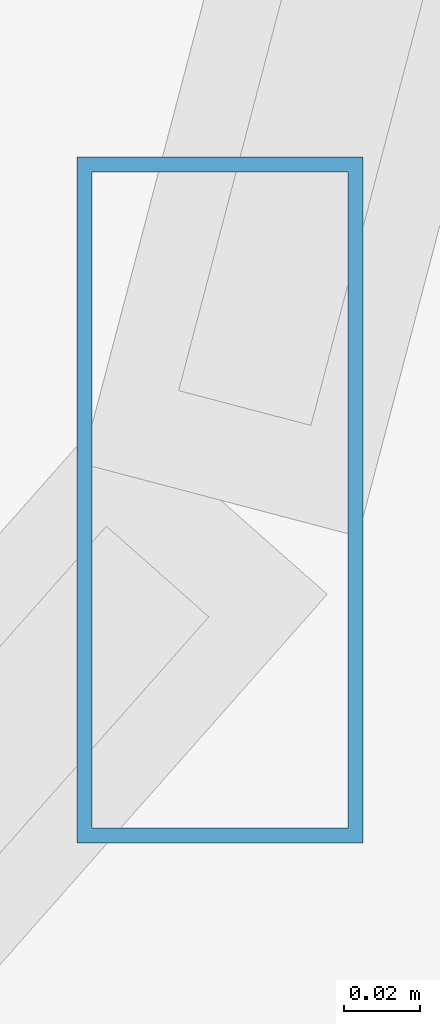
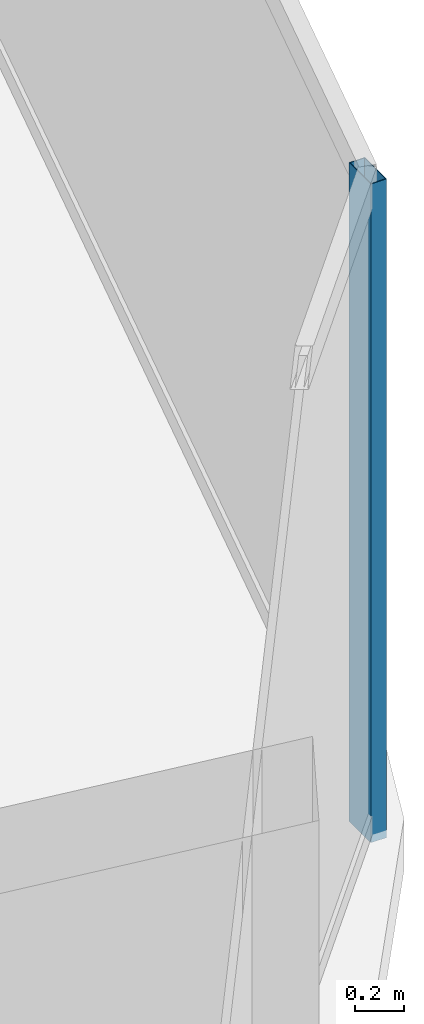
# One storey, part 14 of 30: 1 member, 1 element without a shape of its own.
"""IFC4 building model written with IfcOpenShell, lengths in metres."""

from ifc_helpers import new_model, si_unit, direction, frame, origin, origin_2d, place, context, subcontext, project, spatial, hollow_rectangle, extrude, material, material_profile, profile_set, type_object, element, aggregate, save


model = new_model("IFC4")

# Units and contexts
model_context = context("Model", 3, precision=1e-05, world=origin(), true_north=direction((0.0, 1.0)))
body_context = subcontext(model_context, "Body", "Model", "MODEL_VIEW")
ifc_project = project(units=[si_unit("LENGTHUNIT", "METRE"), si_unit("AREAUNIT", "SQUARE_METRE"), si_unit("VOLUMEUNIT", "CUBIC_METRE"), si_unit("PLANEANGLEUNIT", "RADIAN"), si_unit("MASSUNIT", "GRAM", prefix="KILO")], contexts=[model_context])

# Site, building, storey
site_placement = place(None, origin())
site = spatial("IfcSite", under=ifc_project, at=site_placement, CompositionType="ELEMENT")
building_placement = place(site_placement, origin())
building = spatial("IfcBuilding", under=site, at=building_placement, Name="Vorneva Point Tower", CompositionType="ELEMENT")
storey_placement = place(building_placement, frame((0.0, 0.0, 78.800048828125)))
storey = spatial("IfcBuildingStorey", under=building, at=storey_placement, Name="L20", CompositionType="ELEMENT", Elevation=78.800048828125)

# Curtain wall, member
ifc_material = material(Name="Pale anodised aluminium", Category="aluminium")
curtain_wall_type = type_object("IfcCurtainWallType", Name="CW-HTL-SYS", PredefinedType="NOTDEFINED", material=ifc_material)
curtain_wall_placement = place(storey_placement, origin())
curtain_wall = element("IfcCurtainWall", 1, at=curtain_wall_placement, inside=storey, type_object=curtain_wall_type, Name="L20 Unitised Curtain Wall CW-L20-R04", PredefinedType="NOTDEFINED")
ifc_material_profile = material_profile(ifc_material, hollow_rectangle(XDim=0.074951171875, YDim=0.179931640625, WallThickness=0.00390625, at=origin_2d()), Name="AL-MUL 180x75x4")
ifc_profile_set = profile_set([ifc_material_profile], Name="Pale anodised aluminium")
member_type = type_object("IfcMemberType", Name="CW-MUL-180", PredefinedType="MULLION", material=ifc_profile_set)
member_placement = place(storey_placement, frame((62.251708984375, 18.40380859375, -0.0400390625), z_axis=(0.0, 0.0, 1.0), x_axis=(1.0, 0.0, 0.0)))
member = element("IfcMember", 2, at=member_placement, type_object=member_type, Name="CW-L20-R04 Mullion 02", PredefinedType="MULLION", context=body_context, shape_type="SweptSolid", body=[
    extrude(hollow_rectangle(XDim=0.074951171875, YDim=0.179931640625, WallThickness=0.00390625, at=origin_2d()), origin(), (0.0, 0.0, 1.0), 3.31005859375),
])
aggregate(curtain_wall, [member])

save(model, "model.ifc")
